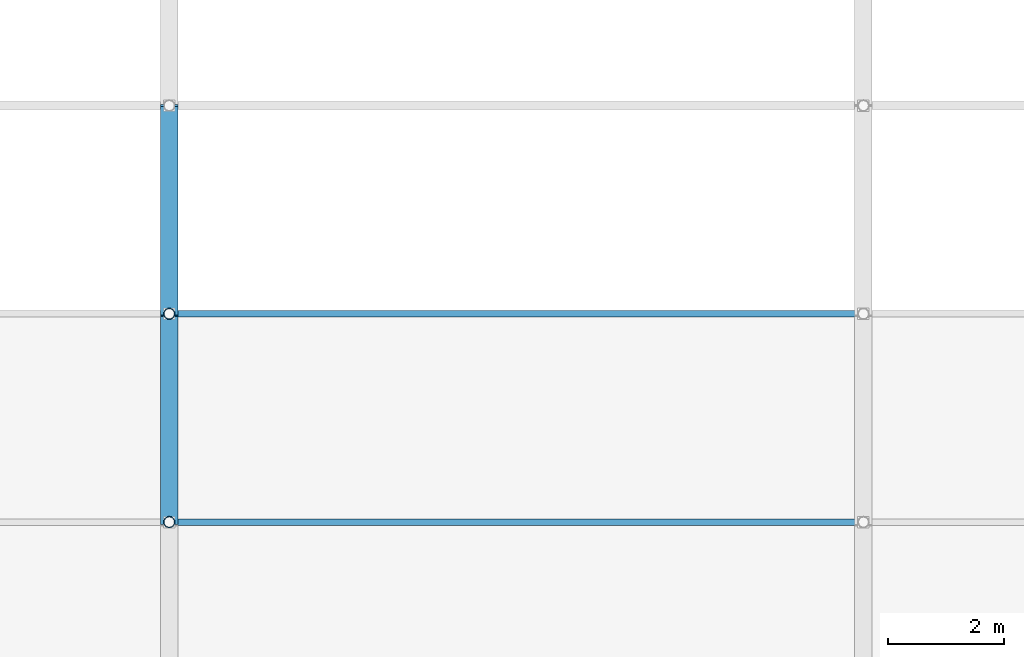
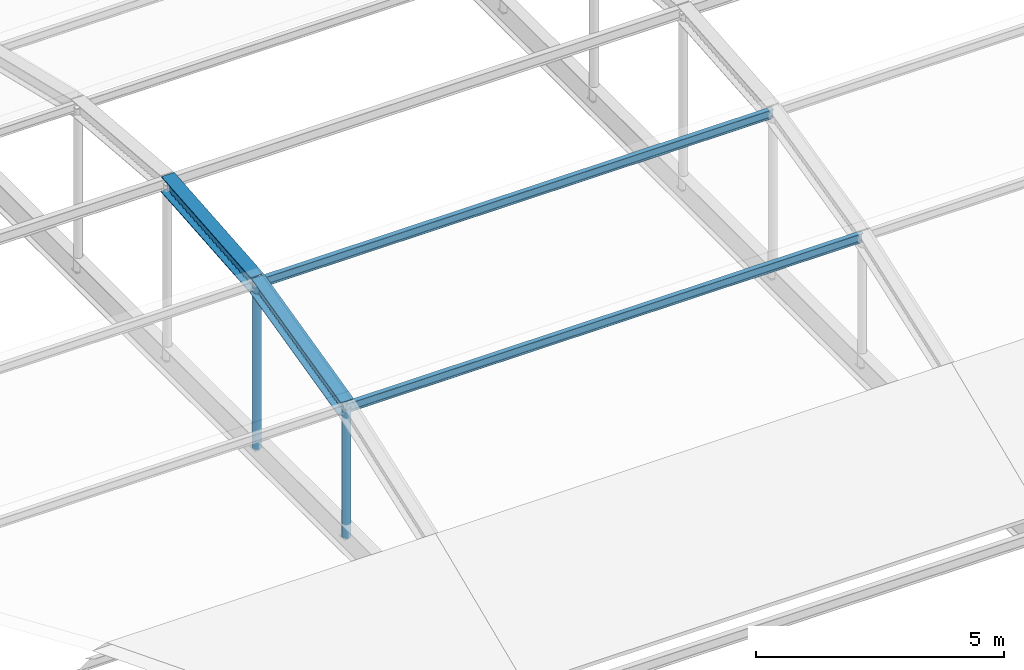
# One storey, part 174 of 239: 4 members, 2 beams.
"""IFC4 building model written with IfcOpenShell, lengths in metres."""

from ifc_helpers import new_model, si_unit, direction, frame, origin, origin_2d, place, context, subcontext, project, spatial, hollow_circle, i_section, extrude, material, material_profile, profile_set, type_object, element, save


model = new_model("IFC4")

# Units and contexts
model_context = context("Model", 3, precision=1e-05, world=origin(), true_north=direction((0.0, 1.0)))
body_context = subcontext(model_context, "Body", "Model", "MODEL_VIEW")
ifc_project = project(units=[si_unit("LENGTHUNIT", "METRE"), si_unit("AREAUNIT", "SQUARE_METRE"), si_unit("VOLUMEUNIT", "CUBIC_METRE"), si_unit("PLANEANGLEUNIT", "RADIAN"), si_unit("MASSUNIT", "GRAM", prefix="KILO")], contexts=[model_context])

# Site, building, storey
site_placement = place(None, origin())
site = spatial("IfcSite", under=ifc_project, at=site_placement, CompositionType="ELEMENT")
building_placement = place(site_placement, origin())
building = spatial("IfcBuilding", under=site, at=building_placement, Name="Dunvalen Ferry Terminal", CompositionType="ELEMENT")
storey_placement = place(building_placement, frame((0.0, 0.0, 9.840087890625)))
storey = spatial("IfcBuildingStorey", under=building, at=storey_placement, Name="L02", CompositionType="ELEMENT", Elevation=9.840087890625)

# Beams
ifc_material = material(Name="Steel S355", Category="steel")
ifc_material_profile_1 = material_profile(ifc_material, i_section(OverallWidth=0.300048828125, OverallDepth=0.389892578125, WebThickness=0.010986328125, FlangeThickness=0.01904296875, FilletRadius=0.027099609375, at=origin_2d()), Name="Steel S355")
ifc_profile_set_1 = profile_set([ifc_material_profile_1], Name="Steel S355")
beam_type = type_object("IfcBeamType", Name="STR-BM-HEA400", PredefinedType="BEAM", material=ifc_profile_set_1)
beam_1_placement = place(storey_placement, frame((132.0, 64.800048828125, 2.828369140625), z_axis=(0.0, 0.972204462661, 0.234133472154), x_axis=(-1.0, 0.0, 0.0)))
element("IfcBeam", 1, at=beam_1_placement, inside=storey, type_object=beam_type, Name="Arrivals Hall Barrel-Vault Arch Rib 03.3", PredefinedType="BEAM", context=body_context, shape_type="SweptSolid", body=[
    extrude(i_section(OverallWidth=0.300048828125, OverallDepth=0.389892578125, WebThickness=0.010986328125, FlangeThickness=0.01904296875, FilletRadius=0.027099609375, at=origin_2d()), origin(), (0.0, 0.0, 1.0), 3.702880859375),
])
beam_2_placement = place(storey_placement, frame((132.0, 68.39990234375, 3.6953125), z_axis=(0.0, 0.996437742755, 0.084331635898), x_axis=(-1.0, 0.0, 0.0)))
element("IfcBeam", 2, at=beam_2_placement, inside=storey, type_object=beam_type, Name="Arrivals Hall Barrel-Vault Arch Rib 03.4", PredefinedType="BEAM", context=body_context, shape_type="SweptSolid", body=[
    extrude(i_section(OverallWidth=0.300048828125, OverallDepth=0.389892578125, WebThickness=0.010986328125, FlangeThickness=0.01904296875, FilletRadius=0.027099609375, at=origin_2d()), origin(), (0.0, 0.0, 1.0), 3.613037109375),
])

# Members
ifc_material_profile_2 = material_profile(ifc_material, hollow_circle(Radius=0.096923828125, WallThickness=0.008056640625, at=origin_2d()), Name="Steel S355")
ifc_profile_set_2 = profile_set([ifc_material_profile_2], Name="Steel S355")
member_type_1 = type_object("IfcMemberType", Name="STR-MB-CHS193", PredefinedType="STRUT", material=ifc_profile_set_2)
member_1_placement = place(storey_placement, frame((132.0, 64.800048828125, -0.340087890625), z_axis=(0.0, 0.0, 1.0), x_axis=(1.0, 0.0, 0.0)))
element("IfcMember", 3, at=member_1_placement, inside=storey, type_object=member_type_1, Name="Arrivals Hall Vault Hanger 03.2", PredefinedType="STRUT", context=body_context, shape_type="SweptSolid", body=[
    extrude(hollow_circle(Radius=0.096923828125, WallThickness=0.008056640625, at=origin_2d()), origin(), (0.0, 0.0, 1.0), 3.16845703125),
])
member_2_placement = place(storey_placement, frame((132.0, 68.39990234375, -0.340087890625), z_axis=(0.0, 0.0, 1.0), x_axis=(1.0, 0.0, 0.0)))
element("IfcMember", 4, at=member_2_placement, inside=storey, type_object=member_type_1, Name="Arrivals Hall Vault Hanger 03.3", PredefinedType="STRUT", context=body_context, shape_type="SweptSolid", body=[
    extrude(hollow_circle(Radius=0.096923828125, WallThickness=0.008056640625, at=origin_2d()), origin(), (0.0, 0.0, 1.0), 4.035400390625),
])
ifc_material_profile_3 = material_profile(ifc_material, i_section(OverallWidth=0.110107421875, OverallDepth=0.219970703125, WebThickness=0.005859375, FlangeThickness=0.00927734375, FilletRadius=0.011962890625, at=origin_2d()), Name="Steel S355")
ifc_profile_set_3 = profile_set([ifc_material_profile_3], Name="Steel S355")
member_type_2 = type_object("IfcMemberType", Name="STR-MB-IPE220", PredefinedType="PURLIN", material=ifc_profile_set_3)
for number, where, z_axis, x_axis, name in (
    (5, (132.0, 64.800048828125, 2.828369140625), (1.0, 0.0, 0.0), (0.0, 1.0, 0.0), "Arrivals Hall Barrel-Vault Purlin 3.3"),
    (6, (132.0, 68.39990234375, 3.6953125), (1.0, 0.0, 0.0), (0.0, 1.0, 0.0), "Arrivals Hall Barrel-Vault Purlin 3.4"),
):
    element("IfcMember", number, at=place(storey_placement, frame(where, z_axis=z_axis, x_axis=x_axis)), inside=storey, type_object=member_type_2, Name=name, PredefinedType="PURLIN", context=body_context, shape_type="SweptSolid", body=[
        extrude(i_section(OverallWidth=0.110107421875, OverallDepth=0.219970703125, WebThickness=0.005859375, FlangeThickness=0.00927734375, FilletRadius=0.011962890625, at=origin_2d()), origin(), (0.0, 0.0, 1.0), 12.0),
    ])

save(model, "model.ifc")
